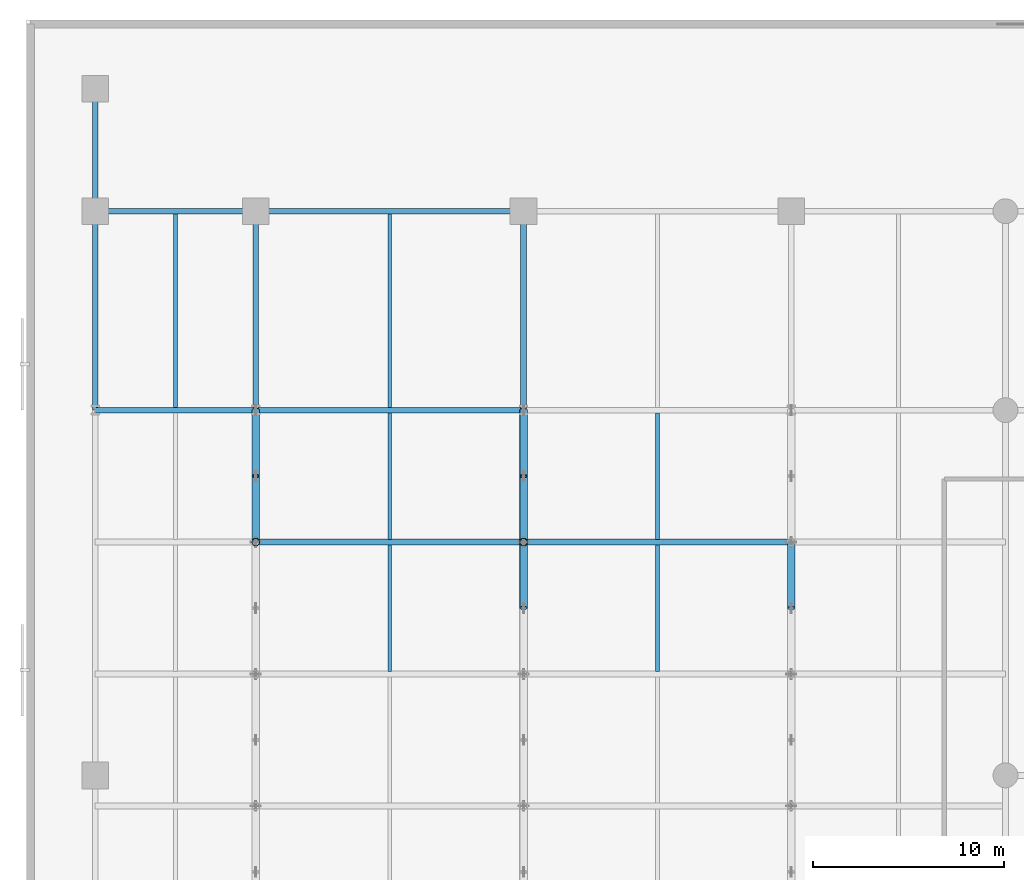
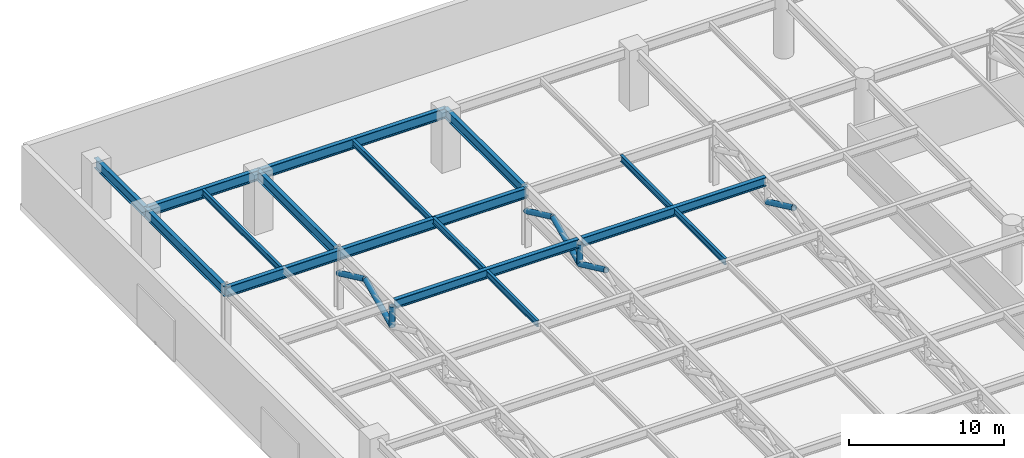
# One storey, part 19 of 40: 16 beams, 8 members.
"""IFC4 building model written with IfcOpenShell, lengths in metres."""

import ifcopenshell
import ifcopenshell.guid

model = None  # the IFC model being written
_history = None  # IfcOwnerHistory: only IFC2X3 demands one
_inside = {}  # id of a spatial element -> (the spatial element, [elements in it])
_under = {}  # id of a project, library or spatial element -> (it, [spatial elements below it])
_declared = {}  # id of a project -> (the project, [libraries it declares])
_typed = {}  # id of a type object -> (the type object, [elements of that type])
_made_of = {}  # id of a material, layer set ... -> (it, [elements and type objects made of it])


def new_model(schema):
    """Start an empty IFC model of exactly this schema.

    Asked for "IFC4X3", IfcOpenShell would pick the latest addendum, in which some entities
    have other attributes; the version numbers below select the first issue.
    IFC2X3 requires an IfcOwnerHistory on every rooted entity: one is made here for all.
    """
    global model, _history
    if schema == "IFC4X3":
        model = ifcopenshell.file(schema_version=(4, 3, 0, 0))
    else:
        model = ifcopenshell.file(schema=schema)
    _inside.clear()
    _under.clear()
    _declared.clear()
    _typed.clear()
    _made_of.clear()
    _history = None
    if model.schema == "IFC2X3":
        org = make("IfcOrganization", Name="unknown")
        user = make(
            "IfcPersonAndOrganization",
            ThePerson=make("IfcPerson", FamilyName="unknown"),
            TheOrganization=org,
        )
        app = make(
            "IfcApplication",
            ApplicationDeveloper=org,
            Version="unknown",
            ApplicationFullName="unknown",
            ApplicationIdentifier="unknown",
        )
        _history = make(
            "IfcOwnerHistory",
            OwningUser=user,
            OwningApplication=app,
            ChangeAction="ADDED",
            CreationDate=0,
        )
    return model


def make(cls, **values):
    """One entity of the class cls with the attributes given. An attribute that is None is left unset."""
    return model.create_entity(
        cls, **{name: value for name, value in values.items() if value is not None}
    )


def rooted(cls, **values):
    """An entity with a GlobalId (a new one), such as an element, a storey or a relation."""
    return make(cls, GlobalId=ifcopenshell.guid.new(), OwnerHistory=_history, **values)


def si_unit(unit_type, name, prefix=None):
    """IfcSIUnit, for example si_unit("LENGTHUNIT", "METRE", prefix="MILLI")."""
    return make("IfcSIUnit", UnitType=unit_type, Prefix=prefix, Name=name)


def assignment(units):
    """IfcUnitAssignment: the units of a project."""
    return None if units is None else make("IfcUnitAssignment", Units=units)


def point(xyz):
    """IfcCartesianPoint."""
    return None if xyz is None else make("IfcCartesianPoint", Coordinates=xyz)


def direction(xyz):
    """IfcDirection."""
    return None if xyz is None else make("IfcDirection", DirectionRatios=xyz)


def frame(location, z_axis=None, x_axis=None):
    """IfcAxis2Placement3D, a coordinate frame: its origin and axes. An axis left out is left unset."""
    return make(
        "IfcAxis2Placement3D",
        Location=point(location),
        Axis=direction(z_axis),
        RefDirection=direction(x_axis),
    )


def frame_2d(location, x_axis=None):
    """IfcAxis2Placement2D, a coordinate frame in the plane: its origin and x axis."""
    return make(
        "IfcAxis2Placement2D", Location=point(location), RefDirection=direction(x_axis)
    )


def origin():
    """The frame at (0, 0, 0) with its axes left unset."""
    return frame((0.0, 0.0, 0.0))


def origin_2d():
    """The frame at (0, 0) in the plane with its x axis left unset."""
    return frame_2d((0.0, 0.0))


def place(relative_to, where):
    """IfcLocalPlacement: puts the frame where relative to a parent placement (None: the world)."""
    return make(
        "IfcLocalPlacement", PlacementRelTo=relative_to, RelativePlacement=where
    )


def context(
    kind, dimensions, precision=None, world=None, true_north=None, identifier=None
):
    """IfcGeometricRepresentationContext, for example the 3D "Model" context."""
    return make(
        "IfcGeometricRepresentationContext",
        ContextIdentifier=identifier,
        ContextType=kind,
        CoordinateSpaceDimension=dimensions,
        Precision=precision,
        WorldCoordinateSystem=world,
        TrueNorth=true_north,
    )


def subcontext(parent, identifier, kind, view, scale=None):
    """IfcGeometricRepresentationSubContext, for example "Body" below "Model"."""
    return make(
        "IfcGeometricRepresentationSubContext",
        ContextIdentifier=identifier,
        ContextType=kind,
        ParentContext=parent,
        TargetScale=scale,
        TargetView=view,
    )


def project(units=None, contexts=None):
    """IfcProject with its units and contexts."""
    return rooted(
        "IfcProject",
        Name="project",
        RepresentationContexts=contexts,
        UnitsInContext=assignment(units),
    )


def spatial(cls, under=None, at=None, **own):
    """A site, building, storey or space (cls), placed at a placement, below another one or the project."""
    s = rooted(cls, ObjectPlacement=at, **own)
    if under is not None:
        _under.setdefault(under.id(), (under, []))[1].append(s)
    return s


def profile(cls, at=None, kind="AREA", **sizes):
    """A parametric profile (cls). Its sizes go by their IFC names, for example OverallWidth=200.0."""
    return make(cls, ProfileType=kind, Position=at, **sizes)


def hollow_circle(**sizes):
    """IfcCircleHollowProfileDef."""
    return profile("IfcCircleHollowProfileDef", **sizes)


def i_section(**sizes):
    """IfcIShapeProfileDef."""
    return profile("IfcIShapeProfileDef", **sizes)


def extrude(swept, where, along, depth):
    """IfcExtrudedAreaSolid: the profile swept, set in the frame where, extruded along a direction by depth."""
    return make(
        "IfcExtrudedAreaSolid",
        SweptArea=swept,
        Position=where,
        ExtrudedDirection=direction(along),
        Depth=depth,
    )


def shape(context_of_items, identifier, shape_type, items):
    """IfcShapeRepresentation: the items that make up one representation, for example the "Body"."""
    return make(
        "IfcShapeRepresentation",
        ContextOfItems=context_of_items,
        RepresentationIdentifier=identifier,
        RepresentationType=shape_type,
        Items=items,
    )


def material(Name=None, Category=None):
    """IfcMaterial."""
    return make("IfcMaterial", Name=Name, Category=Category)


def material_profile(
    of_material, cross_section, Name=None, Category=None, Priority=None
):
    """IfcMaterialProfile: a cross section and its material."""
    return make(
        "IfcMaterialProfile",
        Name=Name,
        Material=of_material,
        Profile=cross_section,
        Priority=Priority,
        Category=Category,
    )


def profile_set(profiles, Name=None, composite=None):
    """IfcMaterialProfileSet."""
    return make(
        "IfcMaterialProfileSet",
        Name=Name,
        MaterialProfiles=profiles,
        CompositeProfile=composite,
    )


def made_of(thing, what):
    """Note that an element or type object is made of a material, layer set ...; save() writes the relation."""
    if what is not None:
        _made_of.setdefault(what.id(), (what, []))[1].append(thing)
    return thing


def type_object(cls, material=None, **own):
    """A type object (cls), such as IfcWallType, which elements share."""
    return made_of(rooted(cls, **own), material)


def element(
    cls,
    number,
    at=None,
    inside=None,
    cuts=None,
    type_object=None,
    material=None,
    context=None,
    identifier="Body",
    shape_type=None,
    held_by="IfcProductDefinitionShape",
    body=None,
    shapes=None,
    **own,
):
    """One element of the class cls, such as IfcWall. Its Tag is "e" and its number.

    at: its placement. inside: the storey or other place that contains it. cuts: it is an
    opening in that element (IfcRelVoidsElement). A single representation is given by context,
    identifier, shape_type and body (its items); several are given by shapes. held_by: the class
    of the entity that holds the representations. save() writes the other relations.
    """
    e = rooted(cls, Tag="e%d" % number, ObjectPlacement=at, **own)
    if body is not None:
        shapes = [shape(context, identifier, shape_type, body)]
    if shapes is not None:
        e.Representation = make(held_by, Representations=shapes)
    if inside is not None:
        _inside.setdefault(inside.id(), (inside, []))[1].append(e)
    if cuts is not None:
        rooted(
            "IfcRelVoidsElement", RelatingBuildingElement=cuts, RelatedOpeningElement=e
        )
    if type_object is not None:
        _typed.setdefault(type_object.id(), (type_object, []))[1].append(e)
    return made_of(e, material)


def aggregate(whole, parts):
    """IfcRelAggregates: a whole, such as a stair, and the parts it consists of."""
    return rooted("IfcRelAggregates", RelatingObject=whole, RelatedObjects=parts)


def save(model, path):
    """Write the relations noted so far, then the file.

    IfcRelAggregates (storeys below a building ...), IfcRelContainedInSpatialStructure (elements
    in a storey), IfcRelDefinesByType, IfcRelAssociatesMaterial and IfcRelDeclares: one each for
    every whole, place, type object, material and project.
    """
    for whole, parts in _under.values():
        aggregate(whole, parts)
    for where, things in _inside.values():
        rooted(
            "IfcRelContainedInSpatialStructure",
            RelatedElements=things,
            RelatingStructure=where,
        )
    for kind, things in _typed.values():
        rooted("IfcRelDefinesByType", RelatedObjects=things, RelatingType=kind)
    for what, things in _made_of.values():
        rooted("IfcRelAssociatesMaterial", RelatedObjects=things, RelatingMaterial=what)
    for by, libraries in _declared.values():
        rooted("IfcRelDeclares", RelatingContext=by, RelatedDefinitions=libraries)
    model.write(path)


model = new_model("IFC4")

# Units and contexts
model_context = context("Model", 3, precision=1e-05, world=origin(), true_north=direction((0.0, 1.0)))
body_context = subcontext(model_context, "Body", "Model", "MODEL_VIEW")
ifc_project = project(units=[si_unit("LENGTHUNIT", "METRE"), si_unit("AREAUNIT", "SQUARE_METRE"), si_unit("VOLUMEUNIT", "CUBIC_METRE"), si_unit("PLANEANGLEUNIT", "RADIAN"), si_unit("MASSUNIT", "GRAM", prefix="KILO")], contexts=[model_context])

# Site, building, storey
site_placement = place(None, origin())
site = spatial("IfcSite", under=ifc_project, at=site_placement, CompositionType="ELEMENT")
building_placement = place(site_placement, origin())
building = spatial("IfcBuilding", under=site, at=building_placement, Name="Narakoshi Arena Tower", CompositionType="ELEMENT")
storey_placement = place(building_placement, frame((0.0, 0.0, 21.60009765625)))
storey = spatial("IfcBuildingStorey", under=building, at=storey_placement, Name="L05", CompositionType="ELEMENT", Elevation=21.60009765625)

# Beams
ifc_material_1 = material(Name="Structural steel S355J2", Category="steel")
ifc_material_profile_1 = material_profile(ifc_material_1, i_section(OverallWidth=0.300048828125, OverallDepth=0.699951171875, WebThickness=0.01708984375, FlangeThickness=0.031982421875, FilletRadius=0.027099609375, at=origin_2d()), Name="HE700B")
ifc_profile_set_1 = profile_set([ifc_material_profile_1], Name="Structural steel S355J2")
beam_type_1 = type_object("IfcBeamType", Name="BM-PRI-700", PredefinedType="BEAM", material=ifc_profile_set_1)
for number, where, z_axis, x_axis, name in (
    (1, (12.14501953125, 68.699951171875, 4.429931640625), (1.0, 0.0, 0.0), (0.0, 1.0, 0.0), "L05 Arena Roof Transverse Girder 7-12"),
    (2, (26.14501953125, 68.699951171875, 4.429931640625), (1.0, 0.0, 0.0), (0.0, 1.0, 0.0), "L05 Arena Roof Transverse Girder 7-26"),
):
    element("IfcBeam", number, at=place(storey_placement, frame(where, z_axis=z_axis, x_axis=x_axis)), inside=storey, type_object=beam_type_1, Name=name, PredefinedType="BEAM", context=body_context, shape_type="SweptSolid", body=[
        extrude(i_section(OverallWidth=0.300048828125, OverallDepth=0.699951171875, WebThickness=0.01708984375, FlangeThickness=0.031982421875, FilletRadius=0.027099609375, at=origin_2d()), origin(), (0.0, 0.0, 1.0), 13.7099609375),
    ])
ifc_material_2 = material(Name="Structural steel S460ML", Category="steel")
ifc_material_profile_2 = material_profile(ifc_material_2, i_section(OverallWidth=0.300048828125, OverallDepth=0.800048828125, WebThickness=0.017578125, FlangeThickness=0.032958984375, FilletRadius=0.030029296875, at=origin_2d()), Name="HE800B")
ifc_profile_set_2 = profile_set([ifc_material_profile_2], Name="Structural steel S460ML")
beam_type_2 = type_object("IfcBeamType", Name="BM-PRI-800", PredefinedType="BEAM", material=ifc_profile_set_2)
beam_1_placement = place(storey_placement, frame((3.60009765625, 75.60009765625, 4.199951171875), z_axis=(1.0, 0.0, 0.0), x_axis=(0.0, 1.0, 0.0)))
element("IfcBeam", 3, at=beam_1_placement, inside=storey, type_object=beam_type_2, Name="L05 Podium Primary X-Girder 043", PredefinedType="BEAM", context=body_context, shape_type="SweptSolid", body=[
    extrude(i_section(OverallWidth=0.300048828125, OverallDepth=0.800048828125, WebThickness=0.017578125, FlangeThickness=0.032958984375, FilletRadius=0.030029296875, at=origin_2d()), origin(), (0.0, 0.0, 1.0), 8.39990234375),
])
beam_2_placement = place(storey_placement, frame((12.0, 75.60009765625, 4.199951171875), z_axis=(1.0, 0.0, 0.0), x_axis=(0.0, 1.0, 0.0)))
element("IfcBeam", 4, at=beam_2_placement, inside=storey, type_object=beam_type_2, Name="L05 Podium Primary X-Girder 044", PredefinedType="BEAM", context=body_context, shape_type="SweptSolid", body=[
    extrude(i_section(OverallWidth=0.300048828125, OverallDepth=0.800048828125, WebThickness=0.017578125, FlangeThickness=0.032958984375, FilletRadius=0.030029296875, at=origin_2d()), origin(), (0.0, 0.0, 1.0), 14.0),
])
beam_3_placement = place(storey_placement, frame((3.60009765625, 86.0, 4.199951171875), z_axis=(1.0, 0.0, 0.0), x_axis=(0.0, 1.0, 0.0)))
element("IfcBeam", 5, at=beam_3_placement, inside=storey, type_object=beam_type_2, Name="L05 Podium Primary X-Girder 053", PredefinedType="BEAM", context=body_context, shape_type="SweptSolid", body=[
    extrude(i_section(OverallWidth=0.300048828125, OverallDepth=0.800048828125, WebThickness=0.017578125, FlangeThickness=0.032958984375, FilletRadius=0.030029296875, at=origin_2d()), origin(), (0.0, 0.0, 1.0), 8.39990234375),
])
beam_4_placement = place(storey_placement, frame((12.0, 86.0, 4.199951171875), z_axis=(1.0, 0.0, 0.0), x_axis=(0.0, 1.0, 0.0)))
element("IfcBeam", 6, at=beam_4_placement, inside=storey, type_object=beam_type_2, Name="L05 Podium Primary X-Girder 054", PredefinedType="BEAM", context=body_context, shape_type="SweptSolid", body=[
    extrude(i_section(OverallWidth=0.300048828125, OverallDepth=0.800048828125, WebThickness=0.017578125, FlangeThickness=0.032958984375, FilletRadius=0.030029296875, at=origin_2d()), origin(), (0.0, 0.0, 1.0), 14.0),
])
beam_5_placement = place(storey_placement, frame((3.60009765625, 75.60009765625, 4.199951171875), z_axis=(0.0, 1.0, 0.0), x_axis=(-1.0, 0.0, 0.0)))
element("IfcBeam", 7, at=beam_5_placement, inside=storey, type_object=beam_type_2, Name="L05 Podium Primary Y-Girder 072", PredefinedType="BEAM", context=body_context, shape_type="SweptSolid", body=[
    extrude(i_section(OverallWidth=0.300048828125, OverallDepth=0.800048828125, WebThickness=0.017578125, FlangeThickness=0.032958984375, FilletRadius=0.030029296875, at=origin_2d()), origin(), (0.0, 0.0, 1.0), 10.39990234375),
])
beam_6_placement = place(storey_placement, frame((3.60009765625, 86.0, 4.199951171875), z_axis=(0.0, 1.0, 0.0), x_axis=(-1.0, 0.0, 0.0)))
element("IfcBeam", 8, at=beam_6_placement, inside=storey, type_object=beam_type_2, Name="L05 Podium Primary Y-Girder 073", PredefinedType="BEAM", context=body_context, shape_type="SweptSolid", body=[
    extrude(i_section(OverallWidth=0.300048828125, OverallDepth=0.800048828125, WebThickness=0.017578125, FlangeThickness=0.032958984375, FilletRadius=0.030029296875, at=origin_2d()), origin(), (0.0, 0.0, 1.0), 6.39990234375),
])
for number, where, z_axis, x_axis, name in (
    (9, (12.0, 75.60009765625, 4.199951171875), (0.0, 1.0, 0.0), (-1.0, 0.0, 0.0), "L05 Podium Primary Y-Girder 075"),
    (10, (26.0, 75.60009765625, 4.199951171875), (0.0, 1.0, 0.0), (-1.0, 0.0, 0.0), "L05 Podium Primary Y-Girder 077"),
):
    element("IfcBeam", number, at=place(storey_placement, frame(where, z_axis=z_axis, x_axis=x_axis)), inside=storey, type_object=beam_type_2, Name=name, PredefinedType="BEAM", context=body_context, shape_type="SweptSolid", body=[
        extrude(i_section(OverallWidth=0.300048828125, OverallDepth=0.800048828125, WebThickness=0.017578125, FlangeThickness=0.032958984375, FilletRadius=0.030029296875, at=origin_2d()), origin(), (0.0, 0.0, 1.0), 10.39990234375),
    ])
ifc_material_profile_3 = material_profile(ifc_material_1, i_section(OverallWidth=0.199951171875, OverallDepth=0.5, WebThickness=0.01025390625, FlangeThickness=0.01611328125, FilletRadius=0.02099609375, at=origin_2d()), Name="IPE500")
ifc_profile_set_3 = profile_set([ifc_material_profile_3], Name="Structural steel S355J2")
beam_type_3 = type_object("IfcBeamType", Name="BM-SEC-500", PredefinedType="JOIST", material=ifc_profile_set_3)
for number, where, z_axis, x_axis, name in (
    (11, (7.800048828125, 75.735107421875, 4.349853515625), (0.0, 1.0, 0.0), (-1.0, 0.0, 0.0), "L05 Podium Composite Floor Joist 002"),
    (12, (19.0, 75.735107421875, 4.349853515625), (0.0, 1.0, 0.0), (-1.0, 0.0, 0.0), "L05 Podium Composite Floor Joist 004"),
):
    element("IfcBeam", number, at=place(storey_placement, frame(where, z_axis=z_axis, x_axis=x_axis)), inside=storey, type_object=beam_type_3, Name=name, PredefinedType="JOIST", context=body_context, shape_type="SweptSolid", body=[
        extrude(i_section(OverallWidth=0.199951171875, OverallDepth=0.5, WebThickness=0.01025390625, FlangeThickness=0.01611328125, FilletRadius=0.02099609375, at=origin_2d()), origin(), (0.0, 0.0, 1.0), 10.1298828125),
    ])
beam_7_placement = place(storey_placement, frame((19.0, 61.945068359375, 4.52978515625), z_axis=(0.0, 1.0, 0.0), x_axis=(-1.0, 0.0, 0.0)))
element("IfcBeam", 13, at=beam_7_placement, inside=storey, type_object=beam_type_3, Name="L05 Arena Roof Secondary Joist 12-7", PredefinedType="JOIST", context=body_context, shape_type="SweptSolid", body=[
    extrude(i_section(OverallWidth=0.199951171875, OverallDepth=0.5, WebThickness=0.01025390625, FlangeThickness=0.01611328125, FilletRadius=0.02099609375, at=origin_2d()), origin(), (0.0, 0.0, 1.0), 6.60986328125),
])
beam_8_placement = place(storey_placement, frame((19.0, 68.844970703125, 4.52978515625), z_axis=(0.0, 1.0, 0.0), x_axis=(-1.0, 0.0, 0.0)))
element("IfcBeam", 14, at=beam_8_placement, inside=storey, type_object=beam_type_3, Name="L05 Arena Roof Secondary Joist 12-8", PredefinedType="JOIST", context=body_context, shape_type="SweptSolid", body=[
    extrude(i_section(OverallWidth=0.199951171875, OverallDepth=0.5, WebThickness=0.01025390625, FlangeThickness=0.01611328125, FilletRadius=0.02099609375, at=origin_2d()), origin(), (0.0, 0.0, 1.0), 6.610107421875),
])
beam_9_placement = place(storey_placement, frame((33.0, 61.945068359375, 4.52978515625), z_axis=(0.0, 1.0, 0.0), x_axis=(-1.0, 0.0, 0.0)))
element("IfcBeam", 15, at=beam_9_placement, inside=storey, type_object=beam_type_3, Name="L05 Arena Roof Secondary Joist 26-7", PredefinedType="JOIST", context=body_context, shape_type="SweptSolid", body=[
    extrude(i_section(OverallWidth=0.199951171875, OverallDepth=0.5, WebThickness=0.01025390625, FlangeThickness=0.01611328125, FilletRadius=0.02099609375, at=origin_2d()), origin(), (0.0, 0.0, 1.0), 6.60986328125),
])
beam_10_placement = place(storey_placement, frame((33.0, 68.844970703125, 4.52978515625), z_axis=(0.0, 1.0, 0.0), x_axis=(-1.0, 0.0, 0.0)))
element("IfcBeam", 16, at=beam_10_placement, inside=storey, type_object=beam_type_3, Name="L05 Arena Roof Secondary Joist 26-8", PredefinedType="JOIST", context=body_context, shape_type="SweptSolid", body=[
    extrude(i_section(OverallWidth=0.199951171875, OverallDepth=0.5, WebThickness=0.01025390625, FlangeThickness=0.01611328125, FilletRadius=0.02099609375, at=origin_2d()), origin(), (0.0, 0.0, 1.0), 6.610107421875),
])

# Members
ifc_material_profile_4 = material_profile(ifc_material_2, hollow_circle(Radius=0.203125, WallThickness=0.01611328125, at=origin_2d()), Name="CHS406x16")
ifc_profile_set_4 = profile_set([ifc_material_profile_4], Name="Structural steel S460ML")
member_type = type_object("IfcMemberType", Name="MEM-ARN-406", PredefinedType="CHORD", material=ifc_profile_set_4)
member_1_placement = place(storey_placement, frame((12.0, 68.699951171875, 2.699951171875), z_axis=(0.0, 0.0, 1.0), x_axis=(1.0, 0.0, 0.0)))
element("IfcMember", 17, at=member_1_placement, inside=storey, type_object=member_type, Name="L05 Arena Roof Truss 1 Web Post 8", PredefinedType="CHORD", context=body_context, shape_type="SweptSolid", body=[
    extrude(hollow_circle(Radius=0.203125, WallThickness=0.01611328125, at=origin_2d()), origin(), (0.0, 0.0, 1.0), 1.625),
])
member_2_placement = place(storey_placement, frame((12.0, 68.699951171875, 2.699951171875), z_axis=(0.0, 0.904667753866, 0.426117654075), x_axis=(-1.0, 0.0, 0.0)))
element("IfcMember", 18, at=member_2_placement, inside=storey, type_object=member_type, Name="L05 Arena Roof Truss 1 Web Diagonal 8A", PredefinedType="CHORD", context=body_context, shape_type="SweptSolid", body=[
    extrude(hollow_circle(Radius=0.203125, WallThickness=0.01611328125, at=origin_2d()), origin(), (0.0, 0.0, 1.0), 3.8134765625),
])
member_3_placement = place(storey_placement, frame((12.0, 72.14990234375, 4.324951171875), z_axis=(0.0, 0.904679377383, -0.426092975931), x_axis=(-1.0, 0.0, 0.0)))
element("IfcMember", 19, at=member_3_placement, inside=storey, type_object=member_type, Name="L05 Arena Roof Truss 1 Web Diagonal 8B", PredefinedType="CHORD", context=body_context, shape_type="SweptSolid", body=[
    extrude(hollow_circle(Radius=0.203125, WallThickness=0.01611328125, at=origin_2d()), origin(), (0.0, 0.0, 1.0), 3.813720703125),
])
member_4_placement = place(storey_placement, frame((26.0, 65.25, 4.324951171875), z_axis=(0.0, 0.904667753866, -0.426117654075), x_axis=(-1.0, 0.0, 0.0)))
element("IfcMember", 20, at=member_4_placement, inside=storey, type_object=member_type, Name="L05 Arena Roof Truss 2 Web Diagonal 7B", PredefinedType="CHORD", context=body_context, shape_type="SweptSolid", body=[
    extrude(hollow_circle(Radius=0.203125, WallThickness=0.01611328125, at=origin_2d()), origin(), (0.0, 0.0, 1.0), 3.8134765625),
])
member_5_placement = place(storey_placement, frame((26.0, 68.699951171875, 2.699951171875), z_axis=(0.0, 0.0, 1.0), x_axis=(1.0, 0.0, 0.0)))
element("IfcMember", 21, at=member_5_placement, inside=storey, type_object=member_type, Name="L05 Arena Roof Truss 2 Web Post 8", PredefinedType="CHORD", context=body_context, shape_type="SweptSolid", body=[
    extrude(hollow_circle(Radius=0.203125, WallThickness=0.01611328125, at=origin_2d()), origin(), (0.0, 0.0, 1.0), 1.625),
])
member_6_placement = place(storey_placement, frame((26.0, 68.699951171875, 2.699951171875), z_axis=(0.0, 0.904667753866, 0.426117654075), x_axis=(-1.0, 0.0, 0.0)))
element("IfcMember", 22, at=member_6_placement, inside=storey, type_object=member_type, Name="L05 Arena Roof Truss 2 Web Diagonal 8A", PredefinedType="CHORD", context=body_context, shape_type="SweptSolid", body=[
    extrude(hollow_circle(Radius=0.203125, WallThickness=0.01611328125, at=origin_2d()), origin(), (0.0, 0.0, 1.0), 3.8134765625),
])
member_7_placement = place(storey_placement, frame((26.0, 72.14990234375, 4.324951171875), z_axis=(0.0, 0.904679377383, -0.426092975931), x_axis=(-1.0, 0.0, 0.0)))
element("IfcMember", 23, at=member_7_placement, inside=storey, type_object=member_type, Name="L05 Arena Roof Truss 2 Web Diagonal 8B", PredefinedType="CHORD", context=body_context, shape_type="SweptSolid", body=[
    extrude(hollow_circle(Radius=0.203125, WallThickness=0.01611328125, at=origin_2d()), origin(), (0.0, 0.0, 1.0), 3.813720703125),
])
member_8_placement = place(storey_placement, frame((40.0, 65.25, 4.324951171875), z_axis=(0.0, 0.904667753866, -0.426117654075), x_axis=(-1.0, 0.0, 0.0)))
element("IfcMember", 24, at=member_8_placement, inside=storey, type_object=member_type, Name="L05 Arena Roof Truss 3 Web Diagonal 7B", PredefinedType="CHORD", context=body_context, shape_type="SweptSolid", body=[
    extrude(hollow_circle(Radius=0.203125, WallThickness=0.01611328125, at=origin_2d()), origin(), (0.0, 0.0, 1.0), 3.8134765625),
])

save(model, "model.ifc")
